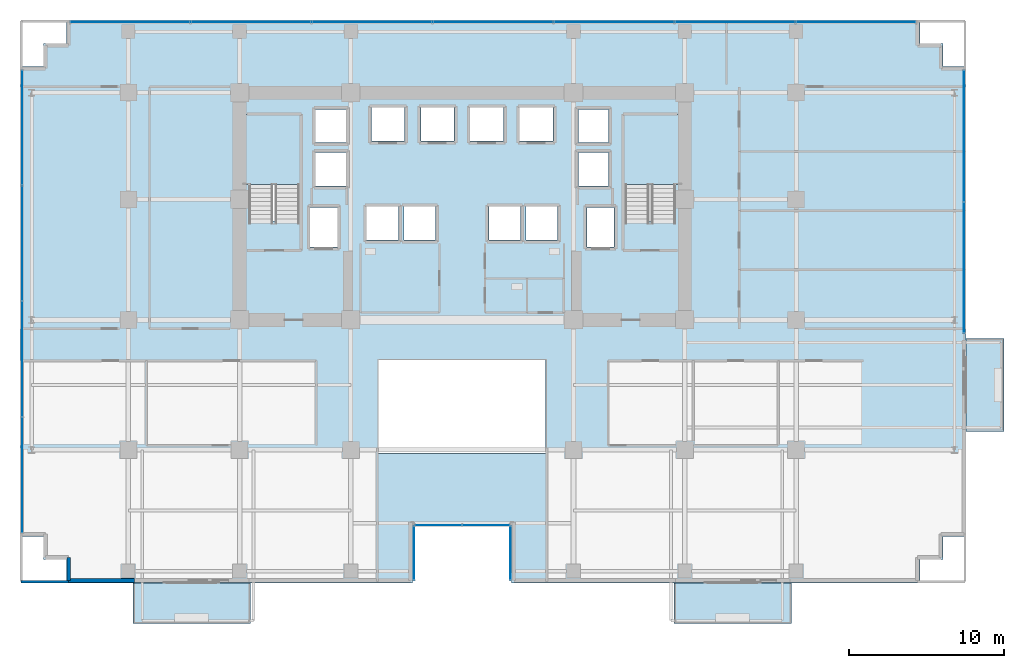
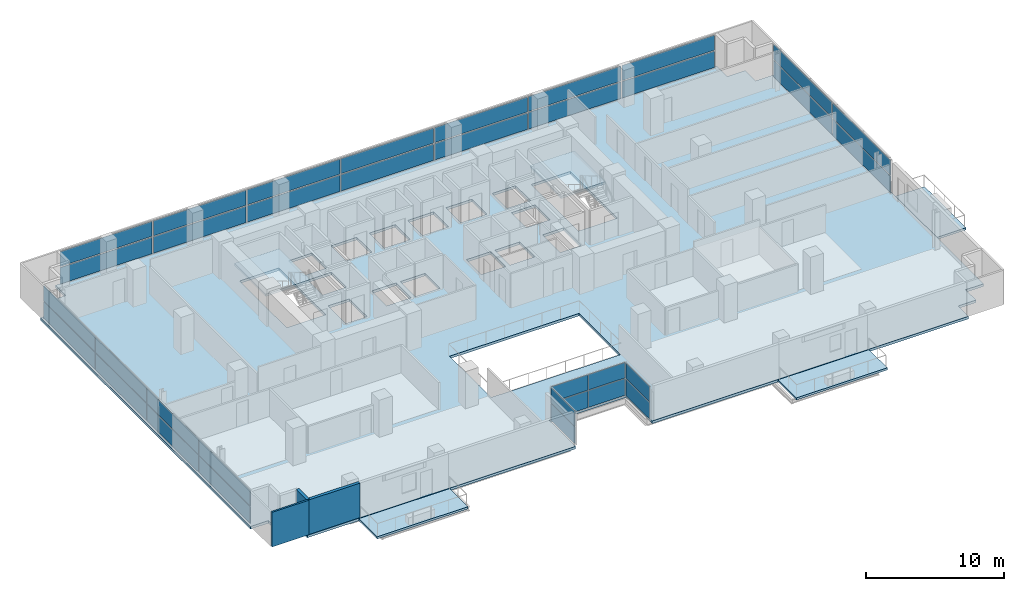
# One storey, part 18 of 27: 34 plates, 6 slabs, 3 walls, 8 elements without a shape of their own.
"""IFC4 building model written with IfcOpenShell, lengths in metres."""

from ifc_helpers import new_model, si_unit, direction, frame, frame_2d, origin, origin_2d, place, context, subcontext, project, spatial, polyline, rectangle, outline, extrude, source, transform, mapped, material, layer, layer_set, type_object, element, aggregate, save


model = new_model("IFC4")

# Units and contexts
model_context = context("Model", 3, precision=1e-05, world=origin(), true_north=direction((0.0, 1.0)))
body_context = subcontext(model_context, "Body", "Model", "MODEL_VIEW")
ifc_project = project(units=[si_unit("LENGTHUNIT", "METRE"), si_unit("AREAUNIT", "SQUARE_METRE"), si_unit("VOLUMEUNIT", "CUBIC_METRE"), si_unit("PLANEANGLEUNIT", "RADIAN"), si_unit("MASSUNIT", "GRAM", prefix="KILO")], contexts=[model_context])

# Site, building, storey
site_placement = place(None, origin())
site = spatial("IfcSite", under=ifc_project, at=site_placement, CompositionType="ELEMENT")
building_placement = place(site_placement, origin())
building = spatial("IfcBuilding", under=site, at=building_placement, Name="Zarnakvel Exchange Tower", CompositionType="ELEMENT")
storey_placement = place(building_placement, frame((0.0, 0.0, 76.89990234375)))
storey = spatial("IfcBuildingStorey", under=building, at=storey_placement, Name="L21", CompositionType="ELEMENT", Elevation=76.89990234375)

# Stair, slab
ifc_material_1 = material(Name="Concrete C40/50", Category="concrete")
stair_type = type_object("IfcStairType", Name="STR-01", PredefinedType="HALF_TURN_STAIR", material=ifc_material_1)
stair_1_placement = place(storey_placement, origin())
stair_1 = element("IfcStair", 1, at=stair_1_placement, inside=storey, type_object=stair_type, Name="L21 Protected Core Exit Stair ST-01", PredefinedType="HALF_TURN_STAIR")
ifc_layer_1 = layer(ifc_material_1, 0.199951171875)
ifc_layer_set_1 = layer_set([ifc_layer_1], Name="Concrete C40/50")
slab_type_1 = type_object("IfcSlabType", Name="LDG-01", PredefinedType="LANDING", material=ifc_layer_set_1)
slab_1_placement = place(storey_placement, frame((0.0, 0.0, 1.4501953125)))
slab_1 = element("IfcSlab", 2, at=slab_1_placement, type_object=slab_type_1, Name="ST-01 landing 1", PredefinedType="LANDING", context=body_context, shape_type="SweptSolid", body=[
    extrude(outline(polyline([(-14.18994140625, 7.570068359375), (-10.4599609375, 7.570068359375), (-10.4599609375, 12.080078125), (-14.18994140625, 12.080078125), (-14.18994140625, 7.570068359375)])), origin(), (0.0, 0.0, 1.0), 0.199951171875),
])
aggregate(stair_1, [slab_1])

stair_2_placement = place(storey_placement, origin())
stair_2 = element("IfcStair", 3, at=stair_2_placement, inside=storey, type_object=stair_type, Name="L21 Protected Core Exit Stair ST-02", PredefinedType="HALF_TURN_STAIR")
slab_2_placement = place(storey_placement, frame((0.0, 0.0, 1.4501953125)))
slab_2 = element("IfcSlab", 4, at=slab_2_placement, type_object=slab_type_1, Name="ST-02 landing 1", PredefinedType="LANDING", context=body_context, shape_type="SweptSolid", body=[
    extrude(outline(polyline([(10.4599609375, 7.570068359375), (14.18994140625, 7.570068359375), (14.18994140625, 12.080078125), (10.4599609375, 12.080078125), (10.4599609375, 7.570068359375)])), origin(), (0.0, 0.0, 1.0), 0.199951171875),
])
aggregate(stair_2, [slab_2])

# Slabs
ifc_layer_2 = layer(ifc_material_1, 0.22509765625)
ifc_layer_set_2 = layer_set([ifc_layer_2], Name="Concrete C40/50")
slab_type_2 = type_object("IfcSlabType", Name="SL-04", PredefinedType="FLOOR", material=ifc_layer_set_2)
slab_3_placement = place(storey_placement, frame((0.0, 0.0, -0.224853515625)))
element("IfcSlab", 5, at=slab_3_placement, inside=storey, type_object=slab_type_2, Name="L21 Primary Structural Floor Slab", PredefinedType="FLOOR", context=body_context, shape_type="SweptSolid", body=[
    extrude(outline(polyline([(-28.60009765625, -15.199951171875), (-27.10009765625, -15.199951171875), (-27.10009765625, -16.699951171875), (-25.60009765625, -16.699951171875), (-25.60009765625, -18.199951171875), (-3.199951171875, -18.199951171875), (-3.199951171875, -14.39990234375), (3.199951171875, -14.39990234375), (3.199951171875, -18.199951171875), (29.60009765625, -18.199951171875), (29.60009765625, -16.699951171875), (31.10009765625, -16.699951171875), (31.10009765625, -15.199951171875), (32.60009765625, -15.199951171875), (32.60009765625, 15.199951171875), (31.10009765625, 15.199951171875), (31.10009765625, 16.699951171875), (29.60009765625, 16.699951171875), (29.60009765625, 18.199951171875), (-25.60009765625, 18.199951171875), (-25.60009765625, 16.699951171875), (-27.10009765625, 16.699951171875), (-27.10009765625, 15.199951171875), (-28.60009765625, 15.199951171875), (-28.60009765625, -15.199951171875)]), holes=[polyline([(-5.39990234375, -9.800048828125), (5.39990234375, -9.800048828125), (5.39990234375, -3.800048828125), (-5.39990234375, -3.800048828125), (-5.39990234375, -9.800048828125)]), polyline([(-13.800048828125, 5.2099609375), (-10.5400390625, 5.2099609375), (-10.5400390625, 12.0), (-13.800048828125, 12.0), (-13.800048828125, 5.2099609375)]), polyline([(10.5400390625, 5.2099609375), (13.800048828125, 5.2099609375), (13.800048828125, 12.0), (10.5400390625, 12.0), (10.5400390625, 5.2099609375)]), polyline([(-9.830078125, 3.52001953125), (-8.070068359375, 3.52001953125), (-8.070068359375, 6.080078125), (-9.830078125, 6.080078125), (-9.830078125, 3.52001953125)]), polyline([(8.070068359375, 3.52001953125), (9.830078125, 3.52001953125), (9.830078125, 6.080078125), (8.070068359375, 6.080078125), (8.070068359375, 3.52001953125)]), polyline([(-5.8798828125, 10.3701171875), (-3.719970703125, 10.3701171875), (-3.719970703125, 12.530029296875), (-5.8798828125, 12.530029296875), (-5.8798828125, 10.3701171875)]), polyline([(-2.679931640625, 10.3701171875), (-0.52001953125, 10.3701171875), (-0.52001953125, 12.530029296875), (-2.679931640625, 12.530029296875), (-2.679931640625, 10.3701171875)]), polyline([(0.52001953125, 10.3701171875), (2.679931640625, 10.3701171875), (2.679931640625, 12.530029296875), (0.52001953125, 12.530029296875), (0.52001953125, 10.3701171875)]), polyline([(3.719970703125, 10.3701171875), (5.8798828125, 10.3701171875), (5.8798828125, 12.530029296875), (3.719970703125, 12.530029296875), (3.719970703125, 10.3701171875)]), polyline([(-6.179931640625, 3.969970703125), (-4.1201171875, 3.969970703125), (-4.1201171875, 6.1298828125), (-6.179931640625, 6.1298828125), (-6.179931640625, 3.969970703125)]), polyline([(-3.780029296875, 3.969970703125), (-1.719970703125, 3.969970703125), (-1.719970703125, 6.1298828125), (-3.780029296875, 6.1298828125), (-3.780029296875, 3.969970703125)]), polyline([(1.719970703125, 3.969970703125), (3.780029296875, 3.969970703125), (3.780029296875, 6.1298828125), (1.719970703125, 6.1298828125), (1.719970703125, 3.969970703125)]), polyline([(4.1201171875, 3.969970703125), (6.179931640625, 3.969970703125), (6.179931640625, 6.1298828125), (4.1201171875, 6.1298828125), (4.1201171875, 3.969970703125)]), polyline([(-9.47998046875, 7.469970703125), (-7.52001953125, 7.469970703125), (-7.52001953125, 9.6298828125), (-9.47998046875, 9.6298828125), (-9.47998046875, 7.469970703125)]), polyline([(-9.47998046875, 10.27001953125), (-7.52001953125, 10.27001953125), (-7.52001953125, 12.429931640625), (-9.47998046875, 12.429931640625), (-9.47998046875, 10.27001953125)]), polyline([(7.52001953125, 7.469970703125), (9.47998046875, 7.469970703125), (9.47998046875, 9.6298828125), (7.52001953125, 9.6298828125), (7.52001953125, 7.469970703125)]), polyline([(7.52001953125, 10.27001953125), (9.47998046875, 10.27001953125), (9.47998046875, 12.429931640625), (7.52001953125, 12.429931640625), (7.52001953125, 10.27001953125)])]), origin(), (0.0, 0.0, 1.0), 0.224853515625),
])
ifc_layer_3 = layer(ifc_material_1, 0.18994140625)
ifc_layer_set_3 = layer_set([ifc_layer_3], Name="Concrete C40/50")
slab_type_3 = type_object("IfcSlabType", Name="SL-08", PredefinedType="USERDEFINED", material=ifc_layer_set_3)
slab_4_placement = place(storey_placement, frame((0.0, 0.0, -0.224853515625)))
element("IfcSlab", 6, at=slab_4_placement, inside=storey, type_object=slab_type_3, Name="L21 Planted Loggia Balcony Slab BAL-L21-SW", ObjectType="BALCONY", PredefinedType="USERDEFINED", context=body_context, shape_type="SweptSolid", body=[
    extrude(outline(polyline([(-21.300048828125, -20.85009765625), (-13.699951171875, -20.85009765625), (-13.699951171875, -18.199951171875), (-21.300048828125, -18.199951171875), (-21.300048828125, -20.85009765625)])), origin(), (0.0, 0.0, 1.0), 0.18994140625),
])
slab_5_placement = place(storey_placement, frame((0.0, 0.0, -0.224853515625)))
element("IfcSlab", 7, at=slab_5_placement, inside=storey, type_object=slab_type_3, Name="L21 Planted Loggia Balcony Slab BAL-L21-SE", ObjectType="BALCONY", PredefinedType="USERDEFINED", context=body_context, shape_type="SweptSolid", body=[
    extrude(outline(polyline([(13.699951171875, -20.85009765625), (21.300048828125, -20.85009765625), (21.300048828125, -18.199951171875), (13.699951171875, -18.199951171875), (13.699951171875, -20.85009765625)])), origin(), (0.0, 0.0, 1.0), 0.18994140625),
])
slab_6_placement = place(storey_placement, frame((0.0, 0.0, -0.224853515625)))
element("IfcSlab", 8, at=slab_6_placement, inside=storey, type_object=slab_type_3, Name="L21 Planted Loggia Balcony Slab BAL-L21-E", ObjectType="BALCONY", PredefinedType="USERDEFINED", context=body_context, shape_type="SweptSolid", body=[
    extrude(outline(polyline([(32.60009765625, -8.39990234375), (35.050048828125, -8.39990234375), (35.050048828125, -2.39990234375), (32.60009765625, -2.39990234375), (32.60009765625, -8.39990234375)])), origin(), (0.0, 0.0, 1.0), 0.18994140625),
])

# Curtain wall, plate
ifc_material_2 = material(Name="Architectural Bronze Anodised Aluminium", Category="aluminium")
ifc_layer_4 = layer(ifc_material_2, 0.179931640625)
ifc_layer_set_4 = layer_set([ifc_layer_4], Name="Architectural Bronze Anodised Aluminium")
curtain_wall_type_1 = type_object("IfcCurtainWallType", Name="CW-05", PredefinedType="NOTDEFINED", material=ifc_layer_set_4)
curtain_wall_1_placement = place(storey_placement, origin())
curtain_wall_1 = element("IfcCurtainWall", 9, at=curtain_wall_1_placement, inside=storey, type_object=curtain_wall_type_1, Name="L21 Curtain Wall CW-L21-SLW (CW-05)", PredefinedType="NOTDEFINED")
ifc_material_3 = material(Name="Double Low-E Laminated Vision Glass", Category="glass")
ifc_layer_5 = layer(ifc_material_3, 0.02587890625)
ifc_layer_set_5 = layer_set([ifc_layer_5], Name="Double Low-E Laminated Vision Glass")
plate_type_1 = type_object("IfcPlateType", Name="CWP-05", PredefinedType="CURTAIN_PANEL", material=ifc_layer_set_5)
shared_shape_1 = source(origin(), body_context, "Body", "SweptSolid", [
    extrude(rectangle(XDim=3.4599609375, YDim=0.02587890625, at=origin_2d()), origin(), (0.0, 0.0, 1.0), 1.470703125),
])
plate_1_placement = place(storey_placement, frame((-3.1201171875, -16.280029296875, 0.070068359375), z_axis=(0.0, 0.0, 1.0), x_axis=(0.0, 1.0, 0.0)))
plate_1 = element("IfcPlate", 10, at=plate_1_placement, type_object=plate_type_1, Name="CW-05 panel 1.1", PredefinedType="CURTAIN_PANEL", context=body_context, shape_type="MappedRepresentation", body=[
    mapped(shared_shape_1, transform((0.0, 0.0, 0.0), x_axis=(1.0, 0.0, 0.0), y_axis=(0.0, 1.0, 0.0), z_axis=(0.0, 0.0, 1.0), scale=1.0)),
])

curtain_wall_2_placement = place(storey_placement, origin())
curtain_wall_2 = element("IfcCurtainWall", 11, at=curtain_wall_2_placement, inside=storey, type_object=curtain_wall_type_1, Name="L21 Curtain Wall CW-L21-SLE (CW-05)", PredefinedType="NOTDEFINED")
plate_2_placement = place(storey_placement, frame((3.1201171875, -16.280029296875, 0.070068359375), z_axis=(0.0, 0.0, 1.0), x_axis=(0.0, -1.0, 0.0)))
plate_2 = element("IfcPlate", 12, at=plate_2_placement, type_object=plate_type_1, Name="CW-05 panel 1.1", PredefinedType="CURTAIN_PANEL", context=body_context, shape_type="MappedRepresentation", body=[
    mapped(shared_shape_1, transform((0.0, 0.0, 0.0), x_axis=(1.0, 0.0, 0.0), y_axis=(0.0, 1.0, 0.0), z_axis=(0.0, 0.0, 1.0), scale=1.0)),
])

# Plate
shared_shape_2 = source(origin(), body_context, "Body", "SweptSolid", [
    extrude(rectangle(XDim=3.4599609375, YDim=0.02587890625, at=origin_2d()), origin(), (0.0, 0.0, 1.0), 1.349365234375),
])
plate_3_placement = place(storey_placement, frame((-3.1201171875, -16.280029296875, 1.61083984375), z_axis=(0.0, 0.0, 1.0), x_axis=(0.0, 1.0, 0.0)))
plate_3 = element("IfcPlate", 13, at=plate_3_placement, type_object=plate_type_1, Name="CW-05 panel 1.2", PredefinedType="CURTAIN_PANEL", context=body_context, shape_type="MappedRepresentation", body=[
    mapped(shared_shape_2, transform((0.0, 0.0, 0.0), x_axis=(1.0, 0.0, 0.0), y_axis=(0.0, 1.0, 0.0), z_axis=(0.0, 0.0, 1.0), scale=1.0)),
])

aggregate(curtain_wall_1, [plate_1, plate_3])

plate_4_placement = place(storey_placement, frame((3.1201171875, -16.280029296875, 1.61083984375), z_axis=(0.0, 0.0, 1.0), x_axis=(0.0, -1.0, 0.0)))
plate_4 = element("IfcPlate", 14, at=plate_4_placement, type_object=plate_type_1, Name="CW-05 panel 1.2", PredefinedType="CURTAIN_PANEL", context=body_context, shape_type="MappedRepresentation", body=[
    mapped(shared_shape_2, transform((0.0, 0.0, 0.0), x_axis=(1.0, 0.0, 0.0), y_axis=(0.0, 1.0, 0.0), z_axis=(0.0, 0.0, 1.0), scale=1.0)),
])

aggregate(curtain_wall_2, [plate_2, plate_4])

# Curtain wall, plates
curtain_wall_3_placement = place(storey_placement, origin())
curtain_wall_3 = element("IfcCurtainWall", 15, at=curtain_wall_3_placement, inside=storey, type_object=curtain_wall_type_1, Name="L21 Curtain Wall CW-L21-SLB (CW-05)", PredefinedType="NOTDEFINED")
shared_shape_3 = source(origin(), body_context, "Body", "SweptSolid", [
    extrude(rectangle(XDim=3.014892578125, YDim=0.02587890625, at=origin_2d()), origin(), (0.0, 0.0, 1.0), 1.470703125),
])
plate_5_placement = place(storey_placement, frame((-1.54248046875, -14.47998046875, 0.070068359375), z_axis=(0.0, 0.0, 1.0), x_axis=(1.0, 0.0, 0.0)))
plate_5 = element("IfcPlate", 16, at=plate_5_placement, type_object=plate_type_1, Name="CW-05 panel 1.1", PredefinedType="CURTAIN_PANEL", context=body_context, shape_type="MappedRepresentation", body=[
    mapped(shared_shape_3, transform((0.0, 0.0, 0.0), x_axis=(1.0, 0.0, 0.0), y_axis=(0.0, 1.0, 0.0), z_axis=(0.0, 0.0, 1.0), scale=1.0)),
])
plate_6_placement = place(storey_placement, frame((1.54248046875, -14.47998046875, 0.070068359375), z_axis=(0.0, 0.0, 1.0), x_axis=(1.0, 0.0, 0.0)))
plate_6 = element("IfcPlate", 17, at=plate_6_placement, type_object=plate_type_1, Name="CW-05 panel 2.1", PredefinedType="CURTAIN_PANEL", context=body_context, shape_type="MappedRepresentation", body=[
    mapped(shared_shape_3, transform((0.0, 0.0, 0.0), x_axis=(1.0, 0.0, 0.0), y_axis=(0.0, 1.0, 0.0), z_axis=(0.0, 0.0, 1.0), scale=1.0)),
])
shared_shape_4 = source(origin(), body_context, "Body", "SweptSolid", [
    extrude(rectangle(XDim=3.014892578125, YDim=0.02587890625, at=origin_2d()), origin(), (0.0, 0.0, 1.0), 1.349365234375),
])
plate_7_placement = place(storey_placement, frame((-1.54248046875, -14.47998046875, 1.61083984375), z_axis=(0.0, 0.0, 1.0), x_axis=(1.0, 0.0, 0.0)))
plate_7 = element("IfcPlate", 18, at=plate_7_placement, type_object=plate_type_1, Name="CW-05 panel 1.2", PredefinedType="CURTAIN_PANEL", context=body_context, shape_type="MappedRepresentation", body=[
    mapped(shared_shape_4, transform((0.0, 0.0, 0.0), x_axis=(1.0, 0.0, 0.0), y_axis=(0.0, 1.0, 0.0), z_axis=(0.0, 0.0, 1.0), scale=1.0)),
])
plate_8_placement = place(storey_placement, frame((1.54248046875, -14.47998046875, 1.61083984375), z_axis=(0.0, 0.0, 1.0), x_axis=(1.0, 0.0, 0.0)))
plate_8 = element("IfcPlate", 19, at=plate_8_placement, type_object=plate_type_1, Name="CW-05 panel 2.2", PredefinedType="CURTAIN_PANEL", context=body_context, shape_type="MappedRepresentation", body=[
    mapped(shared_shape_4, transform((0.0, 0.0, 0.0), x_axis=(1.0, 0.0, 0.0), y_axis=(0.0, 1.0, 0.0), z_axis=(0.0, 0.0, 1.0), scale=1.0)),
])
aggregate(curtain_wall_3, [plate_5, plate_7, plate_6, plate_8])

ifc_layer_6 = layer(ifc_material_2, 0.239990234375)
ifc_layer_set_6 = layer_set([ifc_layer_6], Name="Architectural Bronze Anodised Aluminium")
curtain_wall_type_2 = type_object("IfcCurtainWallType", Name="CW-02", PredefinedType="NOTDEFINED", material=ifc_layer_set_6)
curtain_wall_4_placement = place(storey_placement, origin())
curtain_wall_4 = element("IfcCurtainWall", 20, at=curtain_wall_4_placement, inside=storey, type_object=curtain_wall_type_2, Name="L21 Curtain Wall CW-L21-N1 (CW-02)", PredefinedType="NOTDEFINED")
ifc_layer_7 = layer(ifc_material_3, 0.031982421875)
ifc_layer_set_7 = layer_set([ifc_layer_7], Name="Double Low-E Laminated Vision Glass")
plate_type_2 = type_object("IfcPlateType", Name="CWP-02", PredefinedType="CURTAIN_PANEL", material=ifc_layer_set_7)
shared_shape_5 = source(origin(), body_context, "Body", "SweptSolid", [
    extrude(rectangle(XDim=7.693603515625, YDim=0.031982421875, at=origin_2d()), origin(), (0.0, 0.0, 1.0), 1.447998046875),
])
plate_9_placement = place(storey_placement, frame((-21.463134765625, 18.06005859375, 0.0849609375), z_axis=(0.0, 0.0, 1.0), x_axis=(1.0, 0.0, 0.0)))
plate_9 = element("IfcPlate", 21, at=plate_9_placement, type_object=plate_type_2, Name="CW-02 panel 1.1", PredefinedType="CURTAIN_PANEL", context=body_context, shape_type="MappedRepresentation", body=[
    mapped(shared_shape_5, transform((0.0, 0.0, 0.0), x_axis=(1.0, 0.0, 0.0), y_axis=(0.0, 1.0, 0.0), z_axis=(0.0, 0.0, 1.0), scale=1.0)),
])
plate_10_placement = place(storey_placement, frame((25.463134765625, 18.06005859375, 0.0849609375), z_axis=(0.0, 0.0, 1.0), x_axis=(1.0, 0.0, 0.0)))
plate_10 = element("IfcPlate", 22, at=plate_10_placement, type_object=plate_type_2, Name="CW-02 panel 7.1", PredefinedType="CURTAIN_PANEL", context=body_context, shape_type="MappedRepresentation", body=[
    mapped(shared_shape_5, transform((0.0, 0.0, 0.0), x_axis=(1.0, 0.0, 0.0), y_axis=(0.0, 1.0, 0.0), z_axis=(0.0, 0.0, 1.0), scale=1.0)),
])
shared_shape_6 = source(origin(), body_context, "Body", "SweptSolid", [
    extrude(rectangle(XDim=7.693603515625, YDim=0.031982421875, at=origin_2d()), origin(), (0.0, 0.0, 1.0), 1.326904296875),
])
plate_11_placement = place(storey_placement, frame((-21.463134765625, 18.06005859375, 1.6181640625), z_axis=(0.0, 0.0, 1.0), x_axis=(1.0, 0.0, 0.0)))
plate_11 = element("IfcPlate", 23, at=plate_11_placement, type_object=plate_type_2, Name="CW-02 panel 1.2", PredefinedType="CURTAIN_PANEL", context=body_context, shape_type="MappedRepresentation", body=[
    mapped(shared_shape_6, transform((0.0, 0.0, 0.0), x_axis=(1.0, 0.0, 0.0), y_axis=(0.0, 1.0, 0.0), z_axis=(0.0, 0.0, 1.0), scale=1.0)),
])
plate_12_placement = place(storey_placement, frame((25.463134765625, 18.06005859375, 1.6181640625), z_axis=(0.0, 0.0, 1.0), x_axis=(1.0, 0.0, 0.0)))
plate_12 = element("IfcPlate", 24, at=plate_12_placement, type_object=plate_type_2, Name="CW-02 panel 7.2", PredefinedType="CURTAIN_PANEL", context=body_context, shape_type="MappedRepresentation", body=[
    mapped(shared_shape_6, transform((0.0, 0.0, 0.0), x_axis=(1.0, 0.0, 0.0), y_axis=(0.0, 1.0, 0.0), z_axis=(0.0, 0.0, 1.0), scale=1.0)),
])
shared_shape_7 = source(origin(), body_context, "Body", "SweptSolid", [
    extrude(rectangle(XDim=7.738525390625, YDim=0.031982421875, at=origin_2d()), origin(), (0.0, 0.0, 1.0), 1.447998046875),
])
plate_13_placement = place(storey_placement, frame((-13.6572265625, 18.06005859375, 0.0849609375), z_axis=(0.0, 0.0, 1.0), x_axis=(1.0, 0.0, 0.0)))
plate_13 = element("IfcPlate", 25, at=plate_13_placement, type_object=plate_type_2, Name="CW-02 panel 2.1", PredefinedType="CURTAIN_PANEL", context=body_context, shape_type="MappedRepresentation", body=[
    mapped(shared_shape_7, transform((0.0, 0.0, 0.0), x_axis=(1.0, 0.0, 0.0), y_axis=(0.0, 1.0, 0.0), z_axis=(0.0, 0.0, 1.0), scale=1.0)),
])
plate_14_placement = place(storey_placement, frame((-5.82861328125, 18.06005859375, 0.0849609375), z_axis=(0.0, 0.0, 1.0), x_axis=(1.0, 0.0, 0.0)))
plate_14 = element("IfcPlate", 26, at=plate_14_placement, type_object=plate_type_2, Name="CW-02 panel 3.1", PredefinedType="CURTAIN_PANEL", context=body_context, shape_type="MappedRepresentation", body=[
    mapped(shared_shape_7, transform((0.0, 0.0, 0.0), x_axis=(1.0, 0.0, 0.0), y_axis=(0.0, 1.0, 0.0), z_axis=(0.0, 0.0, 1.0), scale=1.0)),
])
plate_15_placement = place(storey_placement, frame((2.0, 18.06005859375, 0.0849609375), z_axis=(0.0, 0.0, 1.0), x_axis=(1.0, 0.0, 0.0)))
plate_15 = element("IfcPlate", 27, at=plate_15_placement, type_object=plate_type_2, Name="CW-02 panel 4.1", PredefinedType="CURTAIN_PANEL", context=body_context, shape_type="MappedRepresentation", body=[
    mapped(shared_shape_7, transform((0.0, 0.0, 0.0), x_axis=(1.0, 0.0, 0.0), y_axis=(0.0, 1.0, 0.0), z_axis=(0.0, 0.0, 1.0), scale=1.0)),
])
plate_16_placement = place(storey_placement, frame((9.82861328125, 18.06005859375, 0.0849609375), z_axis=(0.0, 0.0, 1.0), x_axis=(1.0, 0.0, 0.0)))
plate_16 = element("IfcPlate", 28, at=plate_16_placement, type_object=plate_type_2, Name="CW-02 panel 5.1", PredefinedType="CURTAIN_PANEL", context=body_context, shape_type="MappedRepresentation", body=[
    mapped(shared_shape_7, transform((0.0, 0.0, 0.0), x_axis=(1.0, 0.0, 0.0), y_axis=(0.0, 1.0, 0.0), z_axis=(0.0, 0.0, 1.0), scale=1.0)),
])
plate_17_placement = place(storey_placement, frame((17.6572265625, 18.06005859375, 0.0849609375), z_axis=(0.0, 0.0, 1.0), x_axis=(1.0, 0.0, 0.0)))
plate_17 = element("IfcPlate", 29, at=plate_17_placement, type_object=plate_type_2, Name="CW-02 panel 6.1", PredefinedType="CURTAIN_PANEL", context=body_context, shape_type="MappedRepresentation", body=[
    mapped(shared_shape_7, transform((0.0, 0.0, 0.0), x_axis=(1.0, 0.0, 0.0), y_axis=(0.0, 1.0, 0.0), z_axis=(0.0, 0.0, 1.0), scale=1.0)),
])
shared_shape_8 = source(origin(), body_context, "Body", "SweptSolid", [
    extrude(rectangle(XDim=7.738525390625, YDim=0.031982421875, at=origin_2d()), origin(), (0.0, 0.0, 1.0), 1.326904296875),
])
plate_18_placement = place(storey_placement, frame((-13.6572265625, 18.06005859375, 1.6181640625), z_axis=(0.0, 0.0, 1.0), x_axis=(1.0, 0.0, 0.0)))
plate_18 = element("IfcPlate", 30, at=plate_18_placement, type_object=plate_type_2, Name="CW-02 panel 2.2", PredefinedType="CURTAIN_PANEL", context=body_context, shape_type="MappedRepresentation", body=[
    mapped(shared_shape_8, transform((0.0, 0.0, 0.0), x_axis=(1.0, 0.0, 0.0), y_axis=(0.0, 1.0, 0.0), z_axis=(0.0, 0.0, 1.0), scale=1.0)),
])
plate_19_placement = place(storey_placement, frame((-5.82861328125, 18.06005859375, 1.6181640625), z_axis=(0.0, 0.0, 1.0), x_axis=(1.0, 0.0, 0.0)))
plate_19 = element("IfcPlate", 31, at=plate_19_placement, type_object=plate_type_2, Name="CW-02 panel 3.2", PredefinedType="CURTAIN_PANEL", context=body_context, shape_type="MappedRepresentation", body=[
    mapped(shared_shape_8, transform((0.0, 0.0, 0.0), x_axis=(1.0, 0.0, 0.0), y_axis=(0.0, 1.0, 0.0), z_axis=(0.0, 0.0, 1.0), scale=1.0)),
])
plate_20_placement = place(storey_placement, frame((2.0, 18.06005859375, 1.6181640625), z_axis=(0.0, 0.0, 1.0), x_axis=(1.0, 0.0, 0.0)))
plate_20 = element("IfcPlate", 32, at=plate_20_placement, type_object=plate_type_2, Name="CW-02 panel 4.2", PredefinedType="CURTAIN_PANEL", context=body_context, shape_type="MappedRepresentation", body=[
    mapped(shared_shape_8, transform((0.0, 0.0, 0.0), x_axis=(1.0, 0.0, 0.0), y_axis=(0.0, 1.0, 0.0), z_axis=(0.0, 0.0, 1.0), scale=1.0)),
])
plate_21_placement = place(storey_placement, frame((9.82861328125, 18.06005859375, 1.6181640625), z_axis=(0.0, 0.0, 1.0), x_axis=(1.0, 0.0, 0.0)))
plate_21 = element("IfcPlate", 33, at=plate_21_placement, type_object=plate_type_2, Name="CW-02 panel 5.2", PredefinedType="CURTAIN_PANEL", context=body_context, shape_type="MappedRepresentation", body=[
    mapped(shared_shape_8, transform((0.0, 0.0, 0.0), x_axis=(1.0, 0.0, 0.0), y_axis=(0.0, 1.0, 0.0), z_axis=(0.0, 0.0, 1.0), scale=1.0)),
])
plate_22_placement = place(storey_placement, frame((17.6572265625, 18.06005859375, 1.6181640625), z_axis=(0.0, 0.0, 1.0), x_axis=(1.0, 0.0, 0.0)))
plate_22 = element("IfcPlate", 34, at=plate_22_placement, type_object=plate_type_2, Name="CW-02 panel 6.2", PredefinedType="CURTAIN_PANEL", context=body_context, shape_type="MappedRepresentation", body=[
    mapped(shared_shape_8, transform((0.0, 0.0, 0.0), x_axis=(1.0, 0.0, 0.0), y_axis=(0.0, 1.0, 0.0), z_axis=(0.0, 0.0, 1.0), scale=1.0)),
])
aggregate(curtain_wall_4, [plate_9, plate_11, plate_13, plate_18, plate_14, plate_19, plate_15, plate_20, plate_16, plate_21, plate_17, plate_22, plate_10, plate_12])

ifc_layer_8 = layer(ifc_material_2, 0.199951171875)
ifc_layer_set_8 = layer_set([ifc_layer_8], Name="Architectural Bronze Anodised Aluminium")
curtain_wall_type_3 = type_object("IfcCurtainWallType", Name="CW-04", PredefinedType="NOTDEFINED", material=ifc_layer_set_8)
curtain_wall_5_placement = place(storey_placement, origin())
curtain_wall_5 = element("IfcCurtainWall", 35, at=curtain_wall_5_placement, inside=storey, type_object=curtain_wall_type_3, Name="L21 Curtain Wall CW-L21-W1 (CW-04)", PredefinedType="NOTDEFINED")
ifc_layer_9 = layer(ifc_material_3, 0.028076171875)
ifc_layer_set_9 = layer_set([ifc_layer_9], Name="Double Low-E Laminated Vision Glass")
plate_type_3 = type_object("IfcPlateType", Name="CWP-04", PredefinedType="CURTAIN_PANEL", material=ifc_layer_set_9)
shared_shape_9 = source(origin(), body_context, "Body", "SweptSolid", [
    extrude(rectangle(XDim=7.387451171875, YDim=0.028076171875, at=origin_2d()), origin(), (0.0, 0.0, 1.0), 1.463134765625),
])
plate_23_placement = place(storey_placement, frame((-28.4599609375, -11.231201171875, 0.0751953125), z_axis=(0.0, 0.0, 1.0), x_axis=(0.0, 1.0, 0.0)))
plate_23 = element("IfcPlate", 36, at=plate_23_placement, type_object=plate_type_3, Name="CW-04 panel 1.1", PredefinedType="CURTAIN_PANEL", context=body_context, shape_type="MappedRepresentation", body=[
    mapped(shared_shape_9, transform((0.0, 0.0, 0.0), x_axis=(1.0, 0.0, 0.0), y_axis=(0.0, 1.0, 0.0), z_axis=(0.0, 0.0, 1.0), scale=1.0)),
])
plate_24_placement = place(storey_placement, frame((-28.4599609375, 11.231201171875, 0.0751953125), z_axis=(0.0, 0.0, 1.0), x_axis=(0.0, 1.0, 0.0)))
plate_24 = element("IfcPlate", 37, at=plate_24_placement, type_object=plate_type_3, Name="CW-04 panel 4.1", PredefinedType="CURTAIN_PANEL", context=body_context, shape_type="MappedRepresentation", body=[
    mapped(shared_shape_9, transform((0.0, 0.0, 0.0), x_axis=(1.0, 0.0, 0.0), y_axis=(0.0, 1.0, 0.0), z_axis=(0.0, 0.0, 1.0), scale=1.0)),
])
shared_shape_10 = source(origin(), body_context, "Body", "SweptSolid", [
    extrude(rectangle(XDim=7.387451171875, YDim=0.028076171875, at=origin_2d()), origin(), (0.0, 0.0, 1.0), 1.341796875),
])
plate_25_placement = place(storey_placement, frame((-28.4599609375, -11.231201171875, 1.61328125), z_axis=(0.0, 0.0, 1.0), x_axis=(0.0, 1.0, 0.0)))
plate_25 = element("IfcPlate", 38, at=plate_25_placement, type_object=plate_type_3, Name="CW-04 panel 1.2", PredefinedType="CURTAIN_PANEL", context=body_context, shape_type="MappedRepresentation", body=[
    mapped(shared_shape_10, transform((0.0, 0.0, 0.0), x_axis=(1.0, 0.0, 0.0), y_axis=(0.0, 1.0, 0.0), z_axis=(0.0, 0.0, 1.0), scale=1.0)),
])
plate_26_placement = place(storey_placement, frame((-28.4599609375, 11.231201171875, 1.61328125), z_axis=(0.0, 0.0, 1.0), x_axis=(0.0, 1.0, 0.0)))
plate_26 = element("IfcPlate", 39, at=plate_26_placement, type_object=plate_type_3, Name="CW-04 panel 4.2", PredefinedType="CURTAIN_PANEL", context=body_context, shape_type="MappedRepresentation", body=[
    mapped(shared_shape_10, transform((0.0, 0.0, 0.0), x_axis=(1.0, 0.0, 0.0), y_axis=(0.0, 1.0, 0.0), z_axis=(0.0, 0.0, 1.0), scale=1.0)),
])
shared_shape_11 = source(origin(), body_context, "Body", "SweptSolid", [
    extrude(rectangle(XDim=7.425048828125, YDim=0.028076171875, at=origin_2d()), origin(), (0.0, 0.0, 1.0), 1.463134765625),
])
plate_27_placement = place(storey_placement, frame((-28.4599609375, -3.75, 0.0751953125), z_axis=(0.0, 0.0, 1.0), x_axis=(0.0, 1.0, 0.0)))
plate_27 = element("IfcPlate", 40, at=plate_27_placement, type_object=plate_type_3, Name="CW-04 panel 2.1", PredefinedType="CURTAIN_PANEL", context=body_context, shape_type="MappedRepresentation", body=[
    mapped(shared_shape_11, transform((0.0, 0.0, 0.0), x_axis=(1.0, 0.0, 0.0), y_axis=(0.0, 1.0, 0.0), z_axis=(0.0, 0.0, 1.0), scale=1.0)),
])
plate_28_placement = place(storey_placement, frame((-28.4599609375, 3.75, 0.0751953125), z_axis=(0.0, 0.0, 1.0), x_axis=(0.0, 1.0, 0.0)))
plate_28 = element("IfcPlate", 41, at=plate_28_placement, type_object=plate_type_3, Name="CW-04 panel 3.1", PredefinedType="CURTAIN_PANEL", context=body_context, shape_type="MappedRepresentation", body=[
    mapped(shared_shape_11, transform((0.0, 0.0, 0.0), x_axis=(1.0, 0.0, 0.0), y_axis=(0.0, 1.0, 0.0), z_axis=(0.0, 0.0, 1.0), scale=1.0)),
])
shared_shape_12 = source(origin(), body_context, "Body", "SweptSolid", [
    extrude(rectangle(XDim=7.425048828125, YDim=0.028076171875, at=origin_2d()), origin(), (0.0, 0.0, 1.0), 1.341796875),
])
plate_29_placement = place(storey_placement, frame((-28.4599609375, -3.75, 1.61328125), z_axis=(0.0, 0.0, 1.0), x_axis=(0.0, 1.0, 0.0)))
plate_29 = element("IfcPlate", 42, at=plate_29_placement, type_object=plate_type_3, Name="CW-04 panel 2.2", PredefinedType="CURTAIN_PANEL", context=body_context, shape_type="MappedRepresentation", body=[
    mapped(shared_shape_12, transform((0.0, 0.0, 0.0), x_axis=(1.0, 0.0, 0.0), y_axis=(0.0, 1.0, 0.0), z_axis=(0.0, 0.0, 1.0), scale=1.0)),
])
plate_30_placement = place(storey_placement, frame((-28.4599609375, 3.75, 1.61328125), z_axis=(0.0, 0.0, 1.0), x_axis=(0.0, 1.0, 0.0)))
plate_30 = element("IfcPlate", 43, at=plate_30_placement, type_object=plate_type_3, Name="CW-04 panel 3.2", PredefinedType="CURTAIN_PANEL", context=body_context, shape_type="MappedRepresentation", body=[
    mapped(shared_shape_12, transform((0.0, 0.0, 0.0), x_axis=(1.0, 0.0, 0.0), y_axis=(0.0, 1.0, 0.0), z_axis=(0.0, 0.0, 1.0), scale=1.0)),
])
aggregate(curtain_wall_5, [plate_23, plate_25, plate_27, plate_29, plate_28, plate_30, plate_24, plate_26])

curtain_wall_6_placement = place(storey_placement, origin())
curtain_wall_6 = element("IfcCurtainWall", 44, at=curtain_wall_6_placement, inside=storey, type_object=curtain_wall_type_3, Name="L21 Curtain Wall CW-L21-EN (CW-04)", PredefinedType="NOTDEFINED")
shared_shape_13 = source(origin(), body_context, "Body", "SweptSolid", [
    extrude(rectangle(XDim=8.4375, YDim=0.028076171875, at=origin_2d()), origin(), (0.0, 0.0, 1.0), 1.463134765625),
])
plate_31_placement = place(storey_placement, frame((32.4599609375, 2.19384765625, 0.0751953125), z_axis=(0.0, 0.0, 1.0), x_axis=(0.0, 1.0, 0.0)))
plate_31 = element("IfcPlate", 45, at=plate_31_placement, type_object=plate_type_3, Name="CW-04 panel 1.1", PredefinedType="CURTAIN_PANEL", context=body_context, shape_type="MappedRepresentation", body=[
    mapped(shared_shape_13, transform((0.0, 0.0, 0.0), x_axis=(1.0, 0.0, 0.0), y_axis=(0.0, 1.0, 0.0), z_axis=(0.0, 0.0, 1.0), scale=1.0)),
])
plate_32_placement = place(storey_placement, frame((32.4599609375, 10.706298828125, 0.0751953125), z_axis=(0.0, 0.0, 1.0), x_axis=(0.0, 1.0, 0.0)))
plate_32 = element("IfcPlate", 46, at=plate_32_placement, type_object=plate_type_3, Name="CW-04 panel 2.1", PredefinedType="CURTAIN_PANEL", context=body_context, shape_type="MappedRepresentation", body=[
    mapped(shared_shape_13, transform((0.0, 0.0, 0.0), x_axis=(1.0, 0.0, 0.0), y_axis=(0.0, 1.0, 0.0), z_axis=(0.0, 0.0, 1.0), scale=1.0)),
])
shared_shape_14 = source(origin(), body_context, "Body", "SweptSolid", [
    extrude(rectangle(XDim=8.4375, YDim=0.028076171875, at=origin_2d()), origin(), (0.0, 0.0, 1.0), 1.341796875),
])
plate_33_placement = place(storey_placement, frame((32.4599609375, 2.19384765625, 1.61328125), z_axis=(0.0, 0.0, 1.0), x_axis=(0.0, 1.0, 0.0)))
plate_33 = element("IfcPlate", 47, at=plate_33_placement, type_object=plate_type_3, Name="CW-04 panel 1.2", PredefinedType="CURTAIN_PANEL", context=body_context, shape_type="MappedRepresentation", body=[
    mapped(shared_shape_14, transform((0.0, 0.0, 0.0), x_axis=(1.0, 0.0, 0.0), y_axis=(0.0, 1.0, 0.0), z_axis=(0.0, 0.0, 1.0), scale=1.0)),
])
plate_34_placement = place(storey_placement, frame((32.4599609375, 10.706298828125, 1.61328125), z_axis=(0.0, 0.0, 1.0), x_axis=(0.0, 1.0, 0.0)))
plate_34 = element("IfcPlate", 48, at=plate_34_placement, type_object=plate_type_3, Name="CW-04 panel 2.2", PredefinedType="CURTAIN_PANEL", context=body_context, shape_type="MappedRepresentation", body=[
    mapped(shared_shape_14, transform((0.0, 0.0, 0.0), x_axis=(1.0, 0.0, 0.0), y_axis=(0.0, 1.0, 0.0), z_axis=(0.0, 0.0, 1.0), scale=1.0)),
])
aggregate(curtain_wall_6, [plate_31, plate_33, plate_32, plate_34])

# Walls
ifc_material_4 = material(Name="Precast concrete C40/50", Category="concrete")
ifc_layer_10 = layer(ifc_material_4, 0.239990234375)
ifc_layer_set_10 = layer_set([ifc_layer_10], Name="Precast concrete C40/50")
wall_type_1 = type_object("IfcWallType", Name="EW-02", PredefinedType="SOLIDWALL", material=ifc_layer_set_10)
wall_1_placement = place(storey_placement, frame((-25.4599609375, -18.06005859375, 0.0), z_axis=(0.0, 0.0, 1.0), x_axis=(1.0, 0.0, 0.0)))
element("IfcWall", 49, at=wall_1_placement, inside=storey, type_object=wall_type_1, Name="L21 Exterior Precast Spandrel Wall EWC-L21-22 (EW-02)", PredefinedType="SOLIDWALL", context=body_context, shape_type="SweptSolid", body=[
    extrude(rectangle(XDim=4.260009765625, YDim=0.239990234375, at=frame_2d((2.1298828125, 0.0))), origin(), (0.0, 0.0, 1.0), 3.050048828125),
])
wall_2_placement = place(storey_placement, frame((-25.4599609375, -16.56005859375, 0.0), z_axis=(0.0, 0.0, 1.0), x_axis=(0.0, -1.0, 0.0)))
element("IfcWall", 50, at=wall_2_placement, inside=storey, type_object=wall_type_1, Name="L21 Exterior Precast Spandrel Wall EWC-L21-23 (EW-02)", PredefinedType="SOLIDWALL", context=body_context, shape_type="SweptSolid", body=[
    extrude(rectangle(XDim=1.5, YDim=0.239990234375, at=frame_2d((0.75, 0.0))), origin(), (0.0, 0.0, 1.0), 3.050048828125),
])
ifc_material_5 = material(Name="Fire-Rated Gypsum Stud Partition", Category="gypsum")
ifc_layer_11 = layer(ifc_material_5, 0.14990234375)
ifc_layer_set_11 = layer_set([ifc_layer_11], Name="Fire-Rated Gypsum Stud Partition")
wall_type_2 = type_object("IfcWallType", Name="PT-01", PredefinedType="PARTITIONING", material=ifc_layer_set_11)
wall_3_placement = place(storey_placement, frame((-25.4599609375, -18.1298828125, 0.0), z_axis=(0.0, 0.0, 1.0), x_axis=(-1.0, 0.0, 0.0)))
element("IfcWall", 51, at=wall_3_placement, inside=storey, type_object=wall_type_2, Name="L21 Partition Wall PWALL-L21-028 (PT-01)", PredefinedType="PARTITIONING", context=body_context, shape_type="SweptSolid", body=[
    extrude(rectangle(XDim=3.070068359375, YDim=0.14990234375, at=frame_2d((1.53515625, 0.0))), origin(), (0.0, 0.0, 1.0), 3.050048828125),
])

save(model, "model.ifc")
